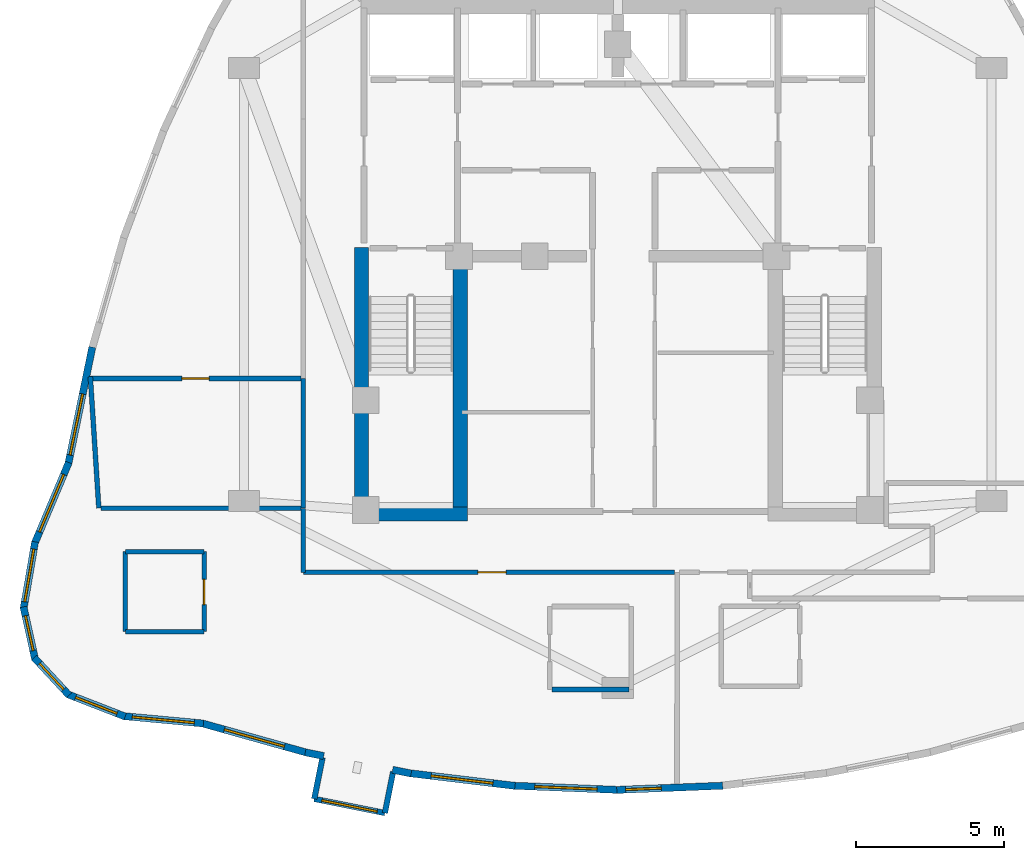
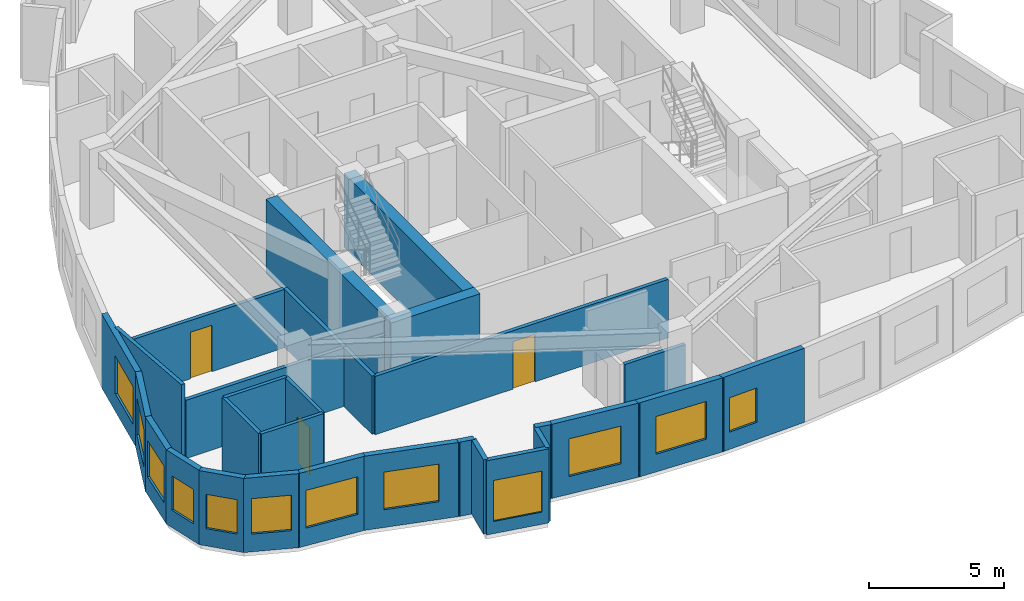
# One storey, part 7 of 12: 30 walls, 12 windows, 3 doors, 15 openings.
"""IFC4 building model written with IfcOpenShell, lengths in metres."""

import ifcopenshell
import ifcopenshell.guid

model = None  # the IFC model being written
_history = None  # IfcOwnerHistory: only IFC2X3 demands one
_inside = {}  # id of a spatial element -> (the spatial element, [elements in it])
_under = {}  # id of a project, library or spatial element -> (it, [spatial elements below it])
_declared = {}  # id of a project -> (the project, [libraries it declares])
_typed = {}  # id of a type object -> (the type object, [elements of that type])
_made_of = {}  # id of a material, layer set ... -> (it, [elements and type objects made of it])


def new_model(schema):
    """Start an empty IFC model of exactly this schema.

    Asked for "IFC4X3", IfcOpenShell would pick the latest addendum, in which some entities
    have other attributes; the version numbers below select the first issue.
    IFC2X3 requires an IfcOwnerHistory on every rooted entity: one is made here for all.
    """
    global model, _history
    if schema == "IFC4X3":
        model = ifcopenshell.file(schema_version=(4, 3, 0, 0))
    else:
        model = ifcopenshell.file(schema=schema)
    _inside.clear()
    _under.clear()
    _declared.clear()
    _typed.clear()
    _made_of.clear()
    _history = None
    if model.schema == "IFC2X3":
        org = make("IfcOrganization", Name="unknown")
        user = make(
            "IfcPersonAndOrganization",
            ThePerson=make("IfcPerson", FamilyName="unknown"),
            TheOrganization=org,
        )
        app = make(
            "IfcApplication",
            ApplicationDeveloper=org,
            Version="unknown",
            ApplicationFullName="unknown",
            ApplicationIdentifier="unknown",
        )
        _history = make(
            "IfcOwnerHistory",
            OwningUser=user,
            OwningApplication=app,
            ChangeAction="ADDED",
            CreationDate=0,
        )
    return model


def make(cls, **values):
    """One entity of the class cls with the attributes given. An attribute that is None is left unset."""
    return model.create_entity(
        cls, **{name: value for name, value in values.items() if value is not None}
    )


def rooted(cls, **values):
    """An entity with a GlobalId (a new one), such as an element, a storey or a relation."""
    return make(cls, GlobalId=ifcopenshell.guid.new(), OwnerHistory=_history, **values)


def si_unit(unit_type, name, prefix=None):
    """IfcSIUnit, for example si_unit("LENGTHUNIT", "METRE", prefix="MILLI")."""
    return make("IfcSIUnit", UnitType=unit_type, Prefix=prefix, Name=name)


def assignment(units):
    """IfcUnitAssignment: the units of a project."""
    return None if units is None else make("IfcUnitAssignment", Units=units)


def point(xyz):
    """IfcCartesianPoint."""
    return None if xyz is None else make("IfcCartesianPoint", Coordinates=xyz)


def direction(xyz):
    """IfcDirection."""
    return None if xyz is None else make("IfcDirection", DirectionRatios=xyz)


def frame(location, z_axis=None, x_axis=None):
    """IfcAxis2Placement3D, a coordinate frame: its origin and axes. An axis left out is left unset."""
    return make(
        "IfcAxis2Placement3D",
        Location=point(location),
        Axis=direction(z_axis),
        RefDirection=direction(x_axis),
    )


def frame_2d(location, x_axis=None):
    """IfcAxis2Placement2D, a coordinate frame in the plane: its origin and x axis."""
    return make(
        "IfcAxis2Placement2D", Location=point(location), RefDirection=direction(x_axis)
    )


def origin():
    """The frame at (0, 0, 0) with its axes left unset."""
    return frame((0.0, 0.0, 0.0))


def place(relative_to, where):
    """IfcLocalPlacement: puts the frame where relative to a parent placement (None: the world)."""
    return make(
        "IfcLocalPlacement", PlacementRelTo=relative_to, RelativePlacement=where
    )


def context(
    kind, dimensions, precision=None, world=None, true_north=None, identifier=None
):
    """IfcGeometricRepresentationContext, for example the 3D "Model" context."""
    return make(
        "IfcGeometricRepresentationContext",
        ContextIdentifier=identifier,
        ContextType=kind,
        CoordinateSpaceDimension=dimensions,
        Precision=precision,
        WorldCoordinateSystem=world,
        TrueNorth=true_north,
    )


def subcontext(parent, identifier, kind, view, scale=None):
    """IfcGeometricRepresentationSubContext, for example "Body" below "Model"."""
    return make(
        "IfcGeometricRepresentationSubContext",
        ContextIdentifier=identifier,
        ContextType=kind,
        ParentContext=parent,
        TargetScale=scale,
        TargetView=view,
    )


def project(units=None, contexts=None):
    """IfcProject with its units and contexts."""
    return rooted(
        "IfcProject",
        Name="project",
        RepresentationContexts=contexts,
        UnitsInContext=assignment(units),
    )


def spatial(cls, under=None, at=None, **own):
    """A site, building, storey or space (cls), placed at a placement, below another one or the project."""
    s = rooted(cls, ObjectPlacement=at, **own)
    if under is not None:
        _under.setdefault(under.id(), (under, []))[1].append(s)
    return s


def profile(cls, at=None, kind="AREA", **sizes):
    """A parametric profile (cls). Its sizes go by their IFC names, for example OverallWidth=200.0."""
    return make(cls, ProfileType=kind, Position=at, **sizes)


def rectangle(**sizes):
    """IfcRectangleProfileDef."""
    return profile("IfcRectangleProfileDef", **sizes)


def extrude(swept, where, along, depth):
    """IfcExtrudedAreaSolid: the profile swept, set in the frame where, extruded along a direction by depth."""
    return make(
        "IfcExtrudedAreaSolid",
        SweptArea=swept,
        Position=where,
        ExtrudedDirection=direction(along),
        Depth=depth,
    )


def shape(context_of_items, identifier, shape_type, items):
    """IfcShapeRepresentation: the items that make up one representation, for example the "Body"."""
    return make(
        "IfcShapeRepresentation",
        ContextOfItems=context_of_items,
        RepresentationIdentifier=identifier,
        RepresentationType=shape_type,
        Items=items,
    )


def material(Name=None, Category=None):
    """IfcMaterial."""
    return make("IfcMaterial", Name=Name, Category=Category)


def layer(
    of_material, thickness, ventilated=None, Name=None, Category=None, Priority=None
):
    """IfcMaterialLayer: one layer of a wall or slab, of a material (None: an air gap)."""
    return make(
        "IfcMaterialLayer",
        Material=of_material,
        LayerThickness=thickness,
        IsVentilated=ventilated,
        Name=Name,
        Category=Category,
        Priority=Priority,
    )


def layer_set(layers, Name=None):
    """IfcMaterialLayerSet."""
    return make("IfcMaterialLayerSet", MaterialLayers=layers, LayerSetName=Name)


def made_of(thing, what):
    """Note that an element or type object is made of a material, layer set ...; save() writes the relation."""
    if what is not None:
        _made_of.setdefault(what.id(), (what, []))[1].append(thing)
    return thing


def type_object(cls, material=None, **own):
    """A type object (cls), such as IfcWallType, which elements share."""
    return made_of(rooted(cls, **own), material)


def element(
    cls,
    number,
    at=None,
    inside=None,
    cuts=None,
    type_object=None,
    material=None,
    context=None,
    identifier="Body",
    shape_type=None,
    held_by="IfcProductDefinitionShape",
    body=None,
    shapes=None,
    **own,
):
    """One element of the class cls, such as IfcWall. Its Tag is "e" and its number.

    at: its placement. inside: the storey or other place that contains it. cuts: it is an
    opening in that element (IfcRelVoidsElement). A single representation is given by context,
    identifier, shape_type and body (its items); several are given by shapes. held_by: the class
    of the entity that holds the representations. save() writes the other relations.
    """
    e = rooted(cls, Tag="e%d" % number, ObjectPlacement=at, **own)
    if body is not None:
        shapes = [shape(context, identifier, shape_type, body)]
    if shapes is not None:
        e.Representation = make(held_by, Representations=shapes)
    if inside is not None:
        _inside.setdefault(inside.id(), (inside, []))[1].append(e)
    if cuts is not None:
        rooted(
            "IfcRelVoidsElement", RelatingBuildingElement=cuts, RelatedOpeningElement=e
        )
    if type_object is not None:
        _typed.setdefault(type_object.id(), (type_object, []))[1].append(e)
    return made_of(e, material)


def fill(opening, filler):
    """IfcRelFillsElement: the door or window that sits in an opening."""
    return rooted(
        "IfcRelFillsElement",
        RelatingOpeningElement=opening,
        RelatedBuildingElement=filler,
    )


def aggregate(whole, parts):
    """IfcRelAggregates: a whole, such as a stair, and the parts it consists of."""
    return rooted("IfcRelAggregates", RelatingObject=whole, RelatedObjects=parts)


def save(model, path):
    """Write the relations noted so far, then the file.

    IfcRelAggregates (storeys below a building ...), IfcRelContainedInSpatialStructure (elements
    in a storey), IfcRelDefinesByType, IfcRelAssociatesMaterial and IfcRelDeclares: one each for
    every whole, place, type object, material and project.
    """
    for whole, parts in _under.values():
        aggregate(whole, parts)
    for where, things in _inside.values():
        rooted(
            "IfcRelContainedInSpatialStructure",
            RelatedElements=things,
            RelatingStructure=where,
        )
    for kind, things in _typed.values():
        rooted("IfcRelDefinesByType", RelatedObjects=things, RelatingType=kind)
    for what, things in _made_of.values():
        rooted("IfcRelAssociatesMaterial", RelatedObjects=things, RelatingMaterial=what)
    for by, libraries in _declared.values():
        rooted("IfcRelDeclares", RelatingContext=by, RelatedDefinitions=libraries)
    model.write(path)


model = new_model("IFC4")

# Units and contexts
model_context = context("Model", 3, precision=1e-05, world=origin(), true_north=direction((0.0, 1.0)))
body_context = subcontext(model_context, "Body", "Model", "MODEL_VIEW")
ifc_project = project(units=[si_unit("LENGTHUNIT", "METRE"), si_unit("AREAUNIT", "SQUARE_METRE"), si_unit("VOLUMEUNIT", "CUBIC_METRE"), si_unit("PLANEANGLEUNIT", "RADIAN"), si_unit("MASSUNIT", "GRAM", prefix="KILO")], contexts=[model_context])

# Site, building, storey
site_placement = place(None, origin())
site = spatial("IfcSite", under=ifc_project, at=site_placement, CompositionType="ELEMENT")
building_placement = place(site_placement, origin())
building = spatial("IfcBuilding", under=site, at=building_placement, Name="Miruveldt Soraemaru", CompositionType="ELEMENT")
storey_placement = place(building_placement, frame((0.0, 0.0, 216.0)))
storey = spatial("IfcBuildingStorey", under=building, at=storey_placement, Name="L59", CompositionType="ELEMENT", Elevation=216.0)

# Walls
ifc_material_1 = material(Name="White powder-coated aluminium EN AW-6060 T6", Category="aluminium")
ifc_layer_1 = layer(ifc_material_1, 0.18994140625, Name="White powder-coated aluminium EN AW-6060 T6", Category="aluminium")
ifc_layer_set_1 = layer_set([ifc_layer_1], Name="White powder-coated aluminium EN AW-6060 T6")
wall_type_1 = type_object("IfcWallType", Name="WALL-BAY-ALU190", PredefinedType="SOLIDWALL", material=ifc_layer_set_1)
wall_1_placement = place(storey_placement, frame((34.04833984375, 27.157958984375, 0.0), z_axis=(0.0, 0.0, 1.0), x_axis=(-0.196149079112, -0.980574086321, 0.0)))
element("IfcWall", 1, at=wall_1_placement, inside=storey, type_object=wall_type_1, Name="L59 Bay Window Side Cheek 1L", PredefinedType="SOLIDWALL", context=body_context, shape_type="SweptSolid", body=[
    extrude(rectangle(XDim=1.425048828125, YDim=0.18994140625, at=frame_2d((0.71240234375, 0.0))), origin(), (0.0, 0.0, 1.0), 3.344970703125),
])
wall_2_placement = place(storey_placement, frame((36.148681640625, 25.28466796875, 0.0), z_axis=(0.0, 0.0, 1.0), x_axis=(0.196182033934, 0.980567493629, 0.0)))
element("IfcWall", 2, at=wall_2_placement, inside=storey, type_object=wall_type_1, Name="L59 Bay Window Side Cheek 1R", PredefinedType="SOLIDWALL", context=body_context, shape_type="SweptSolid", body=[
    extrude(rectangle(XDim=1.4248046875, YDim=0.18994140625, at=frame_2d((0.71240234375, 0.0))), origin(), (0.0, 0.0, 1.0), 3.344970703125),
])

# Wall, opening, window
wall_3_placement = place(storey_placement, frame((33.768798828125, 25.760498046875, 0.0), z_axis=(0.0, 0.0, 1.0), x_axis=(0.980592280997, -0.196058099678, 0.0)))
wall_3 = element("IfcWall", 3, at=wall_3_placement, inside=storey, type_object=wall_type_1, Name="L59 Bay Window Front Frame 1", PredefinedType="SOLIDWALL", context=body_context, shape_type="SweptSolid", body=[
    extrude(rectangle(XDim=2.427001953125, YDim=0.18994140625, at=frame_2d((1.21337890625, 0.0))), origin(), (0.0, 0.0, 1.0), 3.344970703125),
])
opening_1_placement = place(wall_3_placement, frame((0.262939453125, 0.0, 0.550048828125)))
opening_1 = element("IfcOpeningElement", 4, at=opening_1_placement, cuts=wall_3, Name="Opening WN-6", PredefinedType="OPENING", context=body_context, shape_type="SweptSolid", body=[
    extrude(rectangle(XDim=1.89990234375, YDim=1.85009765625, at=frame_2d((0.949951171875, 0.925048828125))), frame((0.0, 0.10498046875, 0.0), z_axis=(0.0, -1.0, 0.0), x_axis=(1.0, 0.0, 0.0)), (0.0, 0.0, 1.0), 0.2099609375),
])
ifc_material_2 = material(Name="Triple low-e insulated glazing", Category="glass")
window_type_1 = type_object("IfcWindowType", Name="WIN-BAYW-1900x1850", PartitioningType="SINGLE_PANEL", PredefinedType="WINDOW", material=ifc_material_2)
window_1_placement = place(opening_1_placement, origin())
window_1 = element("IfcWindow", 5, at=window_1_placement, inside=storey, type_object=window_type_1, Name="L59 Projecting Bay Window 1", OverallHeight=1.85009765625, OverallWidth=1.89990234375, PartitioningType="SINGLE_PANEL", PredefinedType="WINDOW", context=body_context, shape_type="SweptSolid", body=[
    extrude(rectangle(XDim=1.89990234375, YDim=1.85009765625, at=frame_2d((0.949951171875, 0.925048828125))), frame((0.0, 0.030029296875, 0.0), z_axis=(0.0, -1.0, 0.0), x_axis=(1.0, 0.0, 0.0)), (0.0, 0.0, 1.0), 0.06005859375),
])
fill(opening_1, window_1)

# Walls
ifc_material_3 = material(Name="Concrete C60/75 (60 MPa)", Category="concrete")
ifc_layer_2 = layer(ifc_material_3, 0.47998046875, Name="Concrete C60/75 (60 MPa)", Category="concrete")
ifc_layer_set_2 = layer_set([ifc_layer_2], Name="Concrete C60/75 (60 MPa)")
wall_type_2 = type_object("IfcWallType", Name="WALL-CW-480", PredefinedType="SHEAR", material=ifc_layer_set_2)
wall_4_placement = place(storey_placement, frame((35.1201171875, 35.360107421875, 0.0), z_axis=(0.0, 0.0, 1.0), x_axis=(1.0, 0.0, 0.0)))
element("IfcWall", 6, at=wall_4_placement, inside=storey, type_object=wall_type_2, Name="L59 Central Core Shear Wall S1", PredefinedType="SHEAR", context=body_context, shape_type="SweptSolid", body=[
    extrude(rectangle(XDim=3.809814453125, YDim=0.47998046875, at=frame_2d((1.90478515625, 0.0))), origin(), (0.0, 0.0, 1.0), 3.344970703125),
])
wall_5_placement = place(storey_placement, frame((35.360107421875, 35.1201171875, 0.0), z_axis=(0.0, 0.0, 1.0), x_axis=(0.0, 1.0, 0.0)))
element("IfcWall", 7, at=wall_5_placement, inside=storey, type_object=wall_type_2, Name="L59 Central Core Shear Wall W1", PredefinedType="SHEAR", context=body_context, shape_type="SweptSolid", body=[
    extrude(rectangle(XDim=9.22998046875, YDim=0.47998046875, at=frame_2d((4.614990234375, 0.0))), origin(), (0.0, 0.0, 1.0), 3.344970703125),
])
wall_6_placement = place(storey_placement, frame((38.68994140625, 35.39990234375, 0.0), z_axis=(0.0, 0.0, 1.0), x_axis=(0.0, 1.0, 0.0)))
element("IfcWall", 8, at=wall_6_placement, inside=storey, type_object=wall_type_2, Name="L59 Central Core Shear Wall SW-INT", PredefinedType="SHEAR", context=body_context, shape_type="SweptSolid", body=[
    extrude(rectangle(XDim=8.9501953125, YDim=0.47998046875, at=frame_2d((4.47509765625, 0.0))), origin(), (0.0, 0.0, 1.0), 3.344970703125),
])

# Wall, opening, window
ifc_material_4 = material(Name="Precast concrete C45/55 (45 MPa)", Category="concrete")
ifc_layer_3 = layer(ifc_material_4, 0.239990234375, Name="Precast concrete C45/55 (45 MPa)", Category="concrete")
ifc_layer_set_3 = layer_set([ifc_layer_3], Name="Precast concrete C45/55 (45 MPa)")
wall_type_3 = type_object("IfcWallType", Name="WALL-EXT-PC240", PredefinedType="SOLIDWALL", material=ifc_layer_set_3)
wall_7_placement = place(storey_placement, frame((26.287841796875, 40.98681640625, 0.0), z_axis=(0.0, 0.0, 1.0), x_axis=(-0.201579541159, -0.979472147938, 0.0)))
wall_7 = element("IfcWall", 9, at=wall_7_placement, inside=storey, type_object=wall_type_3, Name="L59 Precast Concrete Facade Wall 14", PredefinedType="SOLIDWALL", context=body_context, shape_type="SweptSolid", body=[
    extrude(rectangle(XDim=4.03662109375, YDim=0.239990234375, at=frame_2d((2.018310546875, 0.0))), origin(), (0.0, 0.0, 1.0), 3.344970703125),
])
opening_2_placement = place(wall_7_placement, frame((1.613037109375, 0.0, 0.800048828125)))
opening_2 = element("IfcOpeningElement", 10, at=opening_2_placement, cuts=wall_7, Name="Opening WN-1", PredefinedType="OPENING", context=body_context, shape_type="SweptSolid", body=[
    extrude(rectangle(XDim=2.10009765625, YDim=1.699951171875, at=frame_2d((1.050048828125, 0.85009765625))), frame((0.0, 0.1298828125, 0.0), z_axis=(0.0, -1.0, 0.0), x_axis=(1.0, 0.0, 0.0)), (0.0, 0.0, 1.0), 0.260009765625),
])
window_type_2 = type_object("IfcWindowType", Name="WIN-PUNCH-2100x1700", PartitioningType="SINGLE_PANEL", PredefinedType="WINDOW", material=ifc_material_2)
window_2_placement = place(opening_2_placement, origin())
window_2 = element("IfcWindow", 11, at=window_2_placement, inside=storey, type_object=window_type_2, Name="L59 Punched Triple-Glazed Window 14.1", OverallHeight=1.699951171875, OverallWidth=2.10009765625, PartitioningType="SINGLE_PANEL", PredefinedType="WINDOW", context=body_context, shape_type="SweptSolid", body=[
    extrude(rectangle(XDim=2.10009765625, YDim=1.699951171875, at=frame_2d((1.050048828125, 0.85009765625))), frame((0.0, 0.030029296875, 0.0), z_axis=(0.0, -1.0, 0.0), x_axis=(1.0, 0.0, 0.0)), (0.0, 0.0, 1.0), 0.06005859375),
])
fill(opening_2, window_2)

wall_8_placement = place(storey_placement, frame((25.49462890625, 37.099609375, 0.0), z_axis=(0.0, 0.0, 1.0), x_axis=(-0.388596043181, -0.921408223983, 0.0)))
wall_8 = element("IfcWall", 12, at=wall_8_placement, inside=storey, type_object=wall_type_3, Name="L59 Precast Concrete Facade Wall 15", PredefinedType="SOLIDWALL", context=body_context, shape_type="SweptSolid", body=[
    extrude(rectangle(XDim=2.97607421875, YDim=0.239990234375, at=frame_2d((1.488037109375, 0.0))), origin(), (0.0, 0.0, 1.0), 3.344970703125),
])
opening_3_placement = place(wall_8_placement, frame((0.43798828125, 0.0, 0.800048828125)))
opening_3 = element("IfcOpeningElement", 13, at=opening_3_placement, cuts=wall_8, Name="Opening WN-1", PredefinedType="OPENING", context=body_context, shape_type="SweptSolid", body=[
    extrude(rectangle(XDim=2.10009765625, YDim=1.699951171875, at=frame_2d((1.050048828125, 0.85009765625))), frame((0.0, 0.1298828125, 0.0), z_axis=(0.0, -1.0, 0.0), x_axis=(1.0, 0.0, 0.0)), (0.0, 0.0, 1.0), 0.260009765625),
])
window_3_placement = place(opening_3_placement, origin())
window_3 = element("IfcWindow", 14, at=window_3_placement, inside=storey, type_object=window_type_2, Name="L59 Punched Triple-Glazed Window 15.1", OverallHeight=1.699951171875, OverallWidth=2.10009765625, PartitioningType="SINGLE_PANEL", PredefinedType="WINDOW", context=body_context, shape_type="SweptSolid", body=[
    extrude(rectangle(XDim=2.10009765625, YDim=1.699951171875, at=frame_2d((1.050048828125, 0.85009765625))), frame((0.0, 0.030029296875, 0.0), z_axis=(0.0, -1.0, 0.0), x_axis=(1.0, 0.0, 0.0)), (0.0, 0.0, 1.0), 0.06005859375),
])
fill(opening_3, window_3)

wall_9_placement = place(storey_placement, frame((24.357666015625, 34.424072265625, 0.0), z_axis=(0.0, 0.0, 1.0), x_axis=(-0.169300719574, -0.985564440487, 0.0)))
wall_9 = element("IfcWall", 15, at=wall_9_placement, inside=storey, type_object=wall_type_3, Name="L59 Precast Concrete Facade Wall 16", PredefinedType="SOLIDWALL", context=body_context, shape_type="SweptSolid", body=[
    extrude(rectangle(XDim=2.29296875, YDim=0.239990234375, at=frame_2d((1.146484375, 0.0))), origin(), (0.0, 0.0, 1.0), 3.344970703125),
])
opening_4_placement = place(wall_9_placement, frame((0.2470703125, 0.0, 0.800048828125)))
opening_4 = element("IfcOpeningElement", 16, at=opening_4_placement, cuts=wall_9, Name="Opening WN-2", PredefinedType="OPENING", context=body_context, shape_type="SweptSolid", body=[
    extrude(rectangle(XDim=1.800048828125, YDim=1.64990234375, at=frame_2d((0.89990234375, 0.824951171875))), frame((0.0, 0.1298828125, 0.0), z_axis=(0.0, -1.0, 0.0), x_axis=(1.0, 0.0, 0.0)), (0.0, 0.0, 1.0), 0.260009765625),
])
window_type_3 = type_object("IfcWindowType", Name="WIN-PUNCH-1800x1650", PartitioningType="SINGLE_PANEL", PredefinedType="WINDOW", material=ifc_material_2)
window_4_placement = place(opening_4_placement, origin())
window_4 = element("IfcWindow", 17, at=window_4_placement, inside=storey, type_object=window_type_3, Name="L59 Punched Triple-Glazed Window 16.1", OverallHeight=1.64990234375, OverallWidth=1.800048828125, PartitioningType="SINGLE_PANEL", PredefinedType="WINDOW", context=body_context, shape_type="SweptSolid", body=[
    extrude(rectangle(XDim=1.800048828125, YDim=1.64990234375, at=frame_2d((0.89990234375, 0.824951171875))), frame((0.0, 0.030029296875, 0.0), z_axis=(0.0, -1.0, 0.0), x_axis=(1.0, 0.0, 0.0)), (0.0, 0.0, 1.0), 0.06005859375),
])
fill(opening_4, window_4)

wall_10_placement = place(storey_placement, frame((23.9677734375, 32.23291015625, 0.0), z_axis=(0.0, 0.0, 1.0), x_axis=(0.215762394051, -0.976445896767, 0.0)))
wall_10 = element("IfcWall", 18, at=wall_10_placement, inside=storey, type_object=wall_type_3, Name="L59 Precast Concrete Facade Wall 17", PredefinedType="SOLIDWALL", context=body_context, shape_type="SweptSolid", body=[
    extrude(rectangle(XDim=1.81494140625, YDim=0.239990234375, at=frame_2d((0.907470703125, 0.0))), origin(), (0.0, 0.0, 1.0), 3.344970703125),
])
opening_5_placement = place(wall_10_placement, frame((0.306884765625, 0.0, 0.780029296875)))
opening_5 = element("IfcOpeningElement", 19, at=opening_5_placement, cuts=wall_10, Name="Opening WN-4", PredefinedType="OPENING", context=body_context, shape_type="SweptSolid", body=[
    extrude(rectangle(XDim=1.199951171875, YDim=1.550048828125, at=frame_2d((0.60009765625, 0.77490234375))), frame((0.0, 0.1298828125, 0.0), z_axis=(0.0, -1.0, 0.0), x_axis=(1.0, 0.0, 0.0)), (0.0, 0.0, 1.0), 0.260009765625),
])
window_type_4 = type_object("IfcWindowType", Name="WIN-PUNCH-1200x1550", PartitioningType="SINGLE_PANEL", PredefinedType="WINDOW", material=ifc_material_2)
window_5_placement = place(opening_5_placement, origin())
window_5 = element("IfcWindow", 20, at=window_5_placement, inside=storey, type_object=window_type_4, Name="L59 Punched Triple-Glazed Window 17.1", OverallHeight=1.550048828125, OverallWidth=1.199951171875, PartitioningType="SINGLE_PANEL", PredefinedType="WINDOW", context=body_context, shape_type="SweptSolid", body=[
    extrude(rectangle(XDim=1.199951171875, YDim=1.550048828125, at=frame_2d((0.60009765625, 0.77490234375))), frame((0.0, 0.030029296875, 0.0), z_axis=(0.0, -1.0, 0.0), x_axis=(1.0, 0.0, 0.0)), (0.0, 0.0, 1.0), 0.06005859375),
])
fill(opening_5, window_5)

wall_11_placement = place(storey_placement, frame((24.327880859375, 30.5205078125, 0.0), z_axis=(0.0, 0.0, 1.0), x_axis=(0.680158830512, -0.733064775635, 0.0)))
wall_11 = element("IfcWall", 21, at=wall_11_placement, inside=storey, type_object=wall_type_3, Name="L59 Precast Concrete Facade Wall 18", PredefinedType="SOLIDWALL", context=body_context, shape_type="SweptSolid", body=[
    extrude(rectangle(XDim=1.73046875, YDim=0.239990234375, at=frame_2d((0.865234375, 0.0))), origin(), (0.0, 0.0, 1.0), 3.344970703125),
])
opening_6_placement = place(wall_11_placement, frame((0.264892578125, 0.0, 0.780029296875)))
opening_6 = element("IfcOpeningElement", 22, at=opening_6_placement, cuts=wall_11, Name="Opening WN-4", PredefinedType="OPENING", context=body_context, shape_type="SweptSolid", body=[
    extrude(rectangle(XDim=1.199951171875, YDim=1.550048828125, at=frame_2d((0.60009765625, 0.77490234375))), frame((0.0, 0.1298828125, 0.0), z_axis=(0.0, -1.0, 0.0), x_axis=(1.0, 0.0, 0.0)), (0.0, 0.0, 1.0), 0.260009765625),
])
window_6_placement = place(opening_6_placement, origin())
window_6 = element("IfcWindow", 23, at=window_6_placement, inside=storey, type_object=window_type_4, Name="L59 Punched Triple-Glazed Window 18.1", OverallHeight=1.550048828125, OverallWidth=1.199951171875, PartitioningType="SINGLE_PANEL", PredefinedType="WINDOW", context=body_context, shape_type="SweptSolid", body=[
    extrude(rectangle(XDim=1.199951171875, YDim=1.550048828125, at=frame_2d((0.60009765625, 0.77490234375))), frame((0.0, 0.030029296875, 0.0), z_axis=(0.0, -1.0, 0.0), x_axis=(1.0, 0.0, 0.0)), (0.0, 0.0, 1.0), 0.06005859375),
])
fill(opening_6, window_6)

wall_12_placement = place(storey_placement, frame((25.448486328125, 29.290283203125, 0.0), z_axis=(0.0, 0.0, 1.0), x_axis=(0.932287324151, -0.361718599504, 0.0)))
wall_12 = element("IfcWall", 24, at=wall_12_placement, inside=storey, type_object=wall_type_3, Name="L59 Precast Concrete Facade Wall 19", PredefinedType="SOLIDWALL", context=body_context, shape_type="SweptSolid", body=[
    extrude(rectangle(XDim=2.0888671875, YDim=0.239990234375, at=frame_2d((1.04443359375, 0.0))), origin(), (0.0, 0.0, 1.0), 3.344970703125),
])
opening_7_placement = place(wall_12_placement, frame((0.2939453125, 0.0, 0.800048828125)))
opening_7 = element("IfcOpeningElement", 25, at=opening_7_placement, cuts=wall_12, Name="Opening WN-3", PredefinedType="OPENING", context=body_context, shape_type="SweptSolid", body=[
    extrude(rectangle(XDim=1.5, YDim=1.60009765625, at=frame_2d((0.75, 0.800048828125))), frame((0.0, 0.1298828125, 0.0), z_axis=(0.0, -1.0, 0.0), x_axis=(1.0, 0.0, 0.0)), (0.0, 0.0, 1.0), 0.260009765625),
])
window_type_5 = type_object("IfcWindowType", Name="WIN-PUNCH-1500x1600", PartitioningType="SINGLE_PANEL", PredefinedType="WINDOW", material=ifc_material_2)
window_7_placement = place(opening_7_placement, origin())
window_7 = element("IfcWindow", 26, at=window_7_placement, inside=storey, type_object=window_type_5, Name="L59 Punched Triple-Glazed Window 19.1", OverallHeight=1.60009765625, OverallWidth=1.5, PartitioningType="SINGLE_PANEL", PredefinedType="WINDOW", context=body_context, shape_type="SweptSolid", body=[
    extrude(rectangle(XDim=1.5, YDim=1.60009765625, at=frame_2d((0.75, 0.800048828125))), frame((0.0, 0.030029296875, 0.0), z_axis=(0.0, -1.0, 0.0), x_axis=(1.0, 0.0, 0.0)), (0.0, 0.0, 1.0), 0.06005859375),
])
fill(opening_7, window_7)

wall_13_placement = place(storey_placement, frame((27.32861328125, 28.550537109375, 0.0), z_axis=(0.0, 0.0, 1.0), x_axis=(0.995764020847, -0.09194571652, 0.0)))
wall_13 = element("IfcWall", 27, at=wall_13_placement, inside=storey, type_object=wall_type_3, Name="L59 Precast Concrete Facade Wall 20", PredefinedType="SOLIDWALL", context=body_context, shape_type="SweptSolid", body=[
    extrude(rectangle(XDim=2.71630859375, YDim=0.239990234375, at=frame_2d((1.358154296875, 0.0))), origin(), (0.0, 0.0, 1.0), 3.344970703125),
])
opening_8_placement = place(wall_13_placement, frame((0.30810546875, 0.0, 0.800048828125)))
opening_8 = element("IfcOpeningElement", 28, at=opening_8_placement, cuts=wall_13, Name="Opening WN-1", PredefinedType="OPENING", context=body_context, shape_type="SweptSolid", body=[
    extrude(rectangle(XDim=2.10009765625, YDim=1.699951171875, at=frame_2d((1.050048828125, 0.85009765625))), frame((0.0, 0.1298828125, 0.0), z_axis=(0.0, -1.0, 0.0), x_axis=(1.0, 0.0, 0.0)), (0.0, 0.0, 1.0), 0.260009765625),
])
window_8_placement = place(opening_8_placement, origin())
window_8 = element("IfcWindow", 29, at=window_8_placement, inside=storey, type_object=window_type_2, Name="L59 Punched Triple-Glazed Window 20.1", OverallHeight=1.699951171875, OverallWidth=2.10009765625, PartitioningType="SINGLE_PANEL", PredefinedType="WINDOW", context=body_context, shape_type="SweptSolid", body=[
    extrude(rectangle(XDim=2.10009765625, YDim=1.699951171875, at=frame_2d((1.050048828125, 0.85009765625))), frame((0.0, 0.030029296875, 0.0), z_axis=(0.0, -1.0, 0.0), x_axis=(1.0, 0.0, 0.0)), (0.0, 0.0, 1.0), 0.06005859375),
])
fill(opening_8, window_8)

wall_14_placement = place(storey_placement, frame((29.96484375, 28.3134765625, 0.0), z_axis=(0.0, 0.0, 1.0), x_axis=(0.962962651001, -0.269634813733, 0.0)))
wall_14 = element("IfcWall", 30, at=wall_14_placement, inside=storey, type_object=wall_type_3, Name="L59 Precast Concrete Facade Wall 21", PredefinedType="SOLIDWALL", context=body_context, shape_type="SweptSolid", body=[
    extrude(rectangle(XDim=3.705078125, YDim=0.239990234375, at=frame_2d((1.8525390625, 0.0))), origin(), (0.0, 0.0, 1.0), 3.344970703125),
])
opening_9_placement = place(wall_14_placement, frame((0.802001953125, 0.0, 0.800048828125)))
opening_9 = element("IfcOpeningElement", 31, at=opening_9_placement, cuts=wall_14, Name="Opening WN-1", PredefinedType="OPENING", context=body_context, shape_type="SweptSolid", body=[
    extrude(rectangle(XDim=2.10009765625, YDim=1.699951171875, at=frame_2d((1.050048828125, 0.85009765625))), frame((0.0, 0.1298828125, 0.0), z_axis=(0.0, -1.0, 0.0), x_axis=(1.0, 0.0, 0.0)), (0.0, 0.0, 1.0), 0.260009765625),
])
window_9_placement = place(opening_9_placement, origin())
window_9 = element("IfcWindow", 32, at=window_9_placement, inside=storey, type_object=window_type_2, Name="L59 Punched Triple-Glazed Window 21.1", OverallHeight=1.699951171875, OverallWidth=2.10009765625, PartitioningType="SINGLE_PANEL", PredefinedType="WINDOW", context=body_context, shape_type="SweptSolid", body=[
    extrude(rectangle(XDim=2.10009765625, YDim=1.699951171875, at=frame_2d((1.050048828125, 0.85009765625))), frame((0.0, 0.030029296875, 0.0), z_axis=(0.0, -1.0, 0.0), x_axis=(1.0, 0.0, 0.0)), (0.0, 0.0, 1.0), 0.06005859375),
])
fill(opening_9, window_9)

# Walls
for number, where, z_axis, x_axis, name in (
    (33, (33.464599609375, 27.330810546875, 0.0), (0.0, 0.0, 1.0), (0.980521613497, -0.196411215223, 0.0), "L59 Precast Pier Wall 22A"),
    (34, (36.40966796875, 26.74169921875, 0.0), (0.0, 0.0, 1.0), (0.980595428474, -0.196042356788, 0.0), "L59 Precast Pier Wall 22B"),
):
    element("IfcWall", number, at=place(storey_placement, frame(where, z_axis=z_axis, x_axis=x_axis)), inside=storey, type_object=wall_type_3, Name=name, PredefinedType="SOLIDWALL", context=body_context, shape_type="SweptSolid", body=[
        extrude(rectangle(XDim=0.636474609375, YDim=0.239990234375, at=frame_2d((0.318359375, 0.0))), origin(), (0.0, 0.0, 1.0), 3.344970703125),
    ])

# Wall, opening, window
wall_15_placement = place(storey_placement, frame((36.964599609375, 26.6279296875, 0.0), z_axis=(0.0, 0.0, 1.0), x_axis=(0.992881978506, -0.119102379312, 0.0)))
wall_15 = element("IfcWall", 35, at=wall_15_placement, inside=storey, type_object=wall_type_3, Name="L59 Precast Concrete Facade Wall 23", PredefinedType="SOLIDWALL", context=body_context, shape_type="SweptSolid", body=[
    extrude(rectangle(XDim=3.595458984375, YDim=0.239990234375, at=frame_2d((1.7978515625, 0.0))), origin(), (0.0, 0.0, 1.0), 3.344970703125),
])
opening_10_placement = place(wall_15_placement, frame((0.748046875, 0.0, 0.800048828125)))
opening_10 = element("IfcOpeningElement", 36, at=opening_10_placement, cuts=wall_15, Name="Opening WN-1", PredefinedType="OPENING", context=body_context, shape_type="SweptSolid", body=[
    extrude(rectangle(XDim=2.10009765625, YDim=1.699951171875, at=frame_2d((1.050048828125, 0.85009765625))), frame((0.0, 0.1298828125, 0.0), z_axis=(0.0, -1.0, 0.0), x_axis=(1.0, 0.0, 0.0)), (0.0, 0.0, 1.0), 0.260009765625),
])
window_10_placement = place(opening_10_placement, origin())
window_10 = element("IfcWindow", 37, at=window_10_placement, inside=storey, type_object=window_type_2, Name="L59 Punched Triple-Glazed Window 23.1", OverallHeight=1.699951171875, OverallWidth=2.10009765625, PartitioningType="SINGLE_PANEL", PredefinedType="WINDOW", context=body_context, shape_type="SweptSolid", body=[
    extrude(rectangle(XDim=2.10009765625, YDim=1.699951171875, at=frame_2d((1.050048828125, 0.85009765625))), frame((0.0, 0.030029296875, 0.0), z_axis=(0.0, -1.0, 0.0), x_axis=(1.0, 0.0, 0.0)), (0.0, 0.0, 1.0), 0.06005859375),
])
fill(opening_10, window_10)

wall_16_placement = place(storey_placement, frame((40.464599609375, 26.205078125, 0.0), z_axis=(0.0, 0.0, 1.0), x_axis=(0.999203576114, -0.039902549812, 0.0)))
wall_16 = element("IfcWall", 38, at=wall_16_placement, inside=storey, type_object=wall_type_3, Name="L59 Precast Concrete Facade Wall 24", PredefinedType="SOLIDWALL", context=body_context, shape_type="SweptSolid", body=[
    extrude(rectangle(XDim=3.5732421875, YDim=0.239990234375, at=frame_2d((1.78662109375, 0.0))), origin(), (0.0, 0.0, 1.0), 3.344970703125),
])
opening_11_placement = place(wall_16_placement, frame((0.736083984375, 0.0, 0.800048828125)))
opening_11 = element("IfcOpeningElement", 39, at=opening_11_placement, cuts=wall_16, Name="Opening WN-1", PredefinedType="OPENING", context=body_context, shape_type="SweptSolid", body=[
    extrude(rectangle(XDim=2.10009765625, YDim=1.699951171875, at=frame_2d((1.050048828125, 0.85009765625))), frame((0.0, 0.1298828125, 0.0), z_axis=(0.0, -1.0, 0.0), x_axis=(1.0, 0.0, 0.0)), (0.0, 0.0, 1.0), 0.260009765625),
])
window_11_placement = place(opening_11_placement, origin())
window_11 = element("IfcWindow", 40, at=window_11_placement, inside=storey, type_object=window_type_2, Name="L59 Punched Triple-Glazed Window 24.1", OverallHeight=1.699951171875, OverallWidth=2.10009765625, PartitioningType="SINGLE_PANEL", PredefinedType="WINDOW", context=body_context, shape_type="SweptSolid", body=[
    extrude(rectangle(XDim=2.10009765625, YDim=1.699951171875, at=frame_2d((1.050048828125, 0.85009765625))), frame((0.0, 0.030029296875, 0.0), z_axis=(0.0, -1.0, 0.0), x_axis=(1.0, 0.0, 0.0)), (0.0, 0.0, 1.0), 0.06005859375),
])
fill(opening_11, window_11)

wall_17_placement = place(storey_placement, frame((43.965087890625, 26.0625, 0.0), z_axis=(0.0, 0.0, 1.0), x_axis=(0.999203576114, 0.039902549812, 0.0)))
wall_17 = element("IfcWall", 41, at=wall_17_placement, inside=storey, type_object=wall_type_3, Name="L59 Precast Concrete Facade Wall 25", PredefinedType="SOLIDWALL", context=body_context, shape_type="SweptSolid", body=[
    extrude(rectangle(XDim=3.5732421875, YDim=0.239990234375, at=frame_2d((1.78662109375, 0.0))), origin(), (0.0, 0.0, 1.0), 3.344970703125),
])
opening_12_placement = place(wall_17_placement, frame((0.300048828125, 0.0, 0.780029296875)))
opening_12 = element("IfcOpeningElement", 42, at=opening_12_placement, cuts=wall_17, Name="Opening WN-4", PredefinedType="OPENING", context=body_context, shape_type="SweptSolid", body=[
    extrude(rectangle(XDim=1.199951171875, YDim=1.550048828125, at=frame_2d((0.60009765625, 0.77490234375))), frame((0.0, 0.1298828125, 0.0), z_axis=(0.0, -1.0, 0.0), x_axis=(1.0, 0.0, 0.0)), (0.0, 0.0, 1.0), 0.260009765625),
])
window_12_placement = place(opening_12_placement, origin())
window_12 = element("IfcWindow", 43, at=window_12_placement, inside=storey, type_object=window_type_4, Name="L59 Punched Triple-Glazed Window 25.1", OverallHeight=1.550048828125, OverallWidth=1.199951171875, PartitioningType="SINGLE_PANEL", PredefinedType="WINDOW", context=body_context, shape_type="SweptSolid", body=[
    extrude(rectangle(XDim=1.199951171875, YDim=1.550048828125, at=frame_2d((0.60009765625, 0.77490234375))), frame((0.0, 0.030029296875, 0.0), z_axis=(0.0, -1.0, 0.0), x_axis=(1.0, 0.0, 0.0)), (0.0, 0.0, 1.0), 0.06005859375),
])
fill(opening_12, window_12)

# Wall, opening, door
ifc_material_5 = material(Name="Gypsum plasterboard lining", Category="gypsum")
ifc_layer_4 = layer(ifc_material_5, 0.14990234375, Name="Gypsum plasterboard lining", Category="gypsum")
ifc_layer_set_4 = layer_set([ifc_layer_4], Name="Gypsum plasterboard lining")
wall_type_4 = type_object("IfcWallType", Name="WALL-INT-PLUMB", PredefinedType="PLUMBINGWALL", material=ifc_layer_set_4)
wall_18_placement = place(storey_placement, frame((30.054931640625, 31.39599609375, 0.0), z_axis=(0.0, 0.0, 1.0), x_axis=(0.0, 1.0, 0.0)))
wall_18 = element("IfcWall", 44, at=wall_18_placement, inside=storey, type_object=wall_type_4, Name="L59 Partition Wall 19", PredefinedType="PLUMBINGWALL", context=body_context, shape_type="SweptSolid", body=[
    extrude(rectangle(XDim=2.699951171875, YDim=0.14990234375, at=frame_2d((1.35009765625, 0.0))), origin(), (0.0, 0.0, 1.0), 3.344970703125),
])
opening_13_placement = place(wall_18_placement, frame((0.909912109375, 0.0, 0.0)))
opening_13 = element("IfcOpeningElement", 45, at=opening_13_placement, cuts=wall_18, Name="Opening FD3", PredefinedType="OPENING", context=body_context, shape_type="SweptSolid", body=[
    extrude(rectangle(XDim=0.85009765625, YDim=2.10009765625, at=frame_2d((0.425048828125, 1.050048828125))), frame((0.0, 0.0849609375, 0.0), z_axis=(0.0, -1.0, 0.0), x_axis=(1.0, 0.0, 0.0)), (0.0, 0.0, 1.0), 0.169921875),
])
ifc_material_6 = material(Name="Anodised aluminium EN AW-6063 T6", Category="aluminium")
door_type_1 = type_object("IfcDoorType", Name="DOOR-FD3-850", OperationType="NOTDEFINED", PredefinedType="DOOR", material=ifc_material_6)
door_1_placement = place(opening_13_placement, origin())
door_1 = element("IfcDoor", 46, at=door_1_placement, inside=storey, type_object=door_type_1, Name="L59 Unit 5902 BTH Door", OperationType="SINGLE_SWING_RIGHT", OverallHeight=2.10009765625, OverallWidth=0.85009765625, PredefinedType="DOOR", context=body_context, shape_type="SweptSolid", body=[
    extrude(rectangle(XDim=0.85009765625, YDim=2.10009765625, at=frame_2d((0.425048828125, 1.050048828125))), frame((0.0, 0.02490234375, 0.0), z_axis=(0.0, -1.0, 0.0), x_axis=(1.0, 0.0, 0.0)), (0.0, 0.0, 1.0), 0.050048828125),
])
fill(opening_13, door_1)

# Walls
wall_19_placement = place(storey_placement, frame((27.405029296875, 34.095947265625, 0.0), z_axis=(0.0, 0.0, 1.0), x_axis=(0.0, -1.0, 0.0)))
element("IfcWall", 47, at=wall_19_placement, inside=storey, type_object=wall_type_4, Name="L59 Partition Wall 21", PredefinedType="PLUMBINGWALL", context=body_context, shape_type="SweptSolid", body=[
    extrude(rectangle(XDim=2.699951171875, YDim=0.14990234375, at=frame_2d((1.35009765625, 0.0))), origin(), (0.0, 0.0, 1.0), 3.344970703125),
])
for number, where, z_axis, x_axis, name in (
    (48, (30.054931640625, 34.095947265625, 0.0), (0.0, 0.0, 1.0), (-1.0, 0.0, 0.0), "L59 Partition Wall 20"),
    (49, (27.405029296875, 31.39599609375, 0.0), (0.0, 0.0, 1.0), (1.0, 0.0, 0.0), "L59 Partition Wall 22"),
):
    element("IfcWall", number, at=place(storey_placement, frame(where, z_axis=z_axis, x_axis=x_axis)), inside=storey, type_object=wall_type_4, Name=name, PredefinedType="PLUMBINGWALL", context=body_context, shape_type="SweptSolid", body=[
        extrude(rectangle(XDim=2.64990234375, YDim=0.14990234375, at=frame_2d((1.324951171875, 0.0))), origin(), (0.0, 0.0, 1.0), 3.344970703125),
    ])

# Wall, opening, door
ifc_material_7 = material(Name="Concrete C40/50 (40 MPa)", Category="concrete")
ifc_layer_5 = layer(ifc_material_7, 0.159912109375, Name="Concrete C40/50 (40 MPa)", Category="concrete")
ifc_layer_set_5 = layer_set([ifc_layer_5], Name="Concrete C40/50 (40 MPa)")
wall_type_5 = type_object("IfcWallType", Name="WALL-INT-RC160", PredefinedType="SOLIDWALL", material=ifc_layer_set_5)
wall_20_placement = place(storey_placement, frame((33.39990234375, 33.39990234375, 0.0), z_axis=(0.0, 0.0, 1.0), x_axis=(1.0, 0.0, 0.0)))
wall_20 = element("IfcWall", 50, at=wall_20_placement, inside=storey, type_object=wall_type_5, Name="L59 Partition Wall 7", PredefinedType="SOLIDWALL", context=body_context, shape_type="SweptSolid", body=[
    extrude(rectangle(XDim=12.51611328125, YDim=0.159912109375, at=frame_2d((6.258056640625, 0.0))), origin(), (0.0, 0.0, 1.0), 2.633056640625),
])
opening_14_placement = place(wall_20_placement, frame((5.884033203125, 0.0, 0.0)))
opening_14 = element("IfcOpeningElement", 51, at=opening_14_placement, cuts=wall_20, Name="Opening FD2", PredefinedType="OPENING", context=body_context, shape_type="SweptSolid", body=[
    extrude(rectangle(XDim=0.949951171875, YDim=2.14990234375, at=frame_2d((0.47509765625, 1.074951171875))), frame((0.0, 0.08984375, 0.0), z_axis=(0.0, -1.0, 0.0), x_axis=(1.0, 0.0, 0.0)), (0.0, 0.0, 1.0), 0.179931640625),
])
door_type_2 = type_object("IfcDoorType", Name="DOOR-FD2-950", OperationType="NOTDEFINED", PredefinedType="DOOR", material=ifc_material_6)
door_2_placement = place(opening_14_placement, origin())
door_2 = element("IfcDoor", 52, at=door_2_placement, inside=storey, type_object=door_type_2, Name="L59 Unit 5902 Entrance Fire Door", OperationType="SINGLE_SWING_LEFT", OverallHeight=2.14990234375, OverallWidth=0.949951171875, PredefinedType="DOOR", context=body_context, shape_type="SweptSolid", body=[
    extrude(rectangle(XDim=0.949951171875, YDim=2.14990234375, at=frame_2d((0.47509765625, 1.074951171875))), frame((0.0, 0.02490234375, 0.0), z_axis=(0.0, -1.0, 0.0), x_axis=(1.0, 0.0, 0.0)), (0.0, 0.0, 1.0), 0.050048828125),
])
fill(opening_14, door_2)

wall_21_placement = place(storey_placement, frame((26.208984375, 39.93310546875, 0.0), z_axis=(0.0, 0.0, 1.0), x_axis=(1.0, 0.0, 0.0)))
wall_21 = element("IfcWall", 53, at=wall_21_placement, inside=storey, type_object=wall_type_5, Name="L59 Partition Wall 29", PredefinedType="SOLIDWALL", context=body_context, shape_type="SweptSolid", body=[
    extrude(rectangle(XDim=7.111083984375, YDim=0.159912109375, at=frame_2d((3.5556640625, 0.0))), origin(), (0.0, 0.0, 1.0), 2.633056640625),
])
opening_15_placement = place(wall_21_placement, frame((3.095947265625, 0.0, 0.0)))
opening_15 = element("IfcOpeningElement", 54, at=opening_15_placement, cuts=wall_21, Name="Opening D3A", PredefinedType="OPENING", context=body_context, shape_type="SweptSolid", body=[
    extrude(rectangle(XDim=0.919921875, YDim=2.10009765625, at=frame_2d((0.4599609375, 1.050048828125))), frame((0.0, 0.08984375, 0.0), z_axis=(0.0, -1.0, 0.0), x_axis=(1.0, 0.0, 0.0)), (0.0, 0.0, 1.0), 0.179931640625),
])
door_type_3 = type_object("IfcDoorType", Name="DOOR-INT-920", OperationType="NOTDEFINED", PredefinedType="DOOR", material=ifc_material_6)
door_3_placement = place(opening_15_placement, origin())
door_3 = element("IfcDoor", 55, at=door_3_placement, inside=storey, type_object=door_type_3, Name="L59 Unit 5902 BD1 Door", OperationType="SINGLE_SWING_RIGHT", OverallHeight=2.10009765625, OverallWidth=0.919921875, PredefinedType="DOOR", context=body_context, shape_type="SweptSolid", body=[
    extrude(rectangle(XDim=0.919921875, YDim=2.10009765625, at=frame_2d((0.4599609375, 1.050048828125))), frame((0.0, 0.02490234375, 0.0), z_axis=(0.0, -1.0, 0.0), x_axis=(1.0, 0.0, 0.0)), (0.0, 0.0, 1.0), 0.050048828125),
])
fill(opening_15, door_3)

# Walls
wall_22_placement = place(storey_placement, frame((33.320068359375, 35.56103515625, 0.0), z_axis=(0.0, 0.0, 1.0), x_axis=(-1.0, 0.0, 0.0)))
element("IfcWall", 56, at=wall_22_placement, inside=storey, type_object=wall_type_5, Name="L59 Partition Wall 27", PredefinedType="SOLIDWALL", context=body_context, shape_type="SweptSolid", body=[
    extrude(rectangle(XDim=6.733154296875, YDim=0.159912109375, at=frame_2d((3.36669921875, 0.0))), origin(), (0.0, 0.0, 1.0), 2.633056640625),
])
wall_23_placement = place(storey_placement, frame((26.507080078125, 35.56103515625, 0.0), z_axis=(0.0, 0.0, 1.0), x_axis=(-0.064442333957, 0.997921432576, 0.0)))
element("IfcWall", 57, at=wall_23_placement, inside=storey, type_object=wall_type_5, Name="L59 Partition Wall 28", PredefinedType="SOLIDWALL", context=body_context, shape_type="SweptSolid", body=[
    extrude(rectangle(XDim=4.440185546875, YDim=0.159912109375, at=frame_2d((2.22021484375, 0.0))), origin(), (0.0, 0.0, 1.0), 3.344970703125),
])
wall_24_placement = place(storey_placement, frame((33.39990234375, 39.93310546875, 0.0), z_axis=(0.0, 0.0, 1.0), x_axis=(0.0, -1.0, 0.0)))
element("IfcWall", 58, at=wall_24_placement, inside=storey, type_object=wall_type_5, Name="L59 Partition Wall 8", PredefinedType="SOLIDWALL", context=body_context, shape_type="SweptSolid", body=[
    extrude(rectangle(XDim=4.3720703125, YDim=0.159912109375, at=frame_2d((2.18603515625, 0.0))), origin(), (0.0, 0.0, 1.0), 2.633056640625),
])
wall_25_placement = place(storey_placement, frame((41.784912109375, 29.446044921875, 0.0), z_axis=(0.0, 0.0, 1.0), x_axis=(1.0, 0.0, 0.0)))
element("IfcWall", 59, at=wall_25_placement, inside=storey, type_object=wall_type_5, Name="L59 Partition Wall 26", PredefinedType="SOLIDWALL", context=body_context, shape_type="SweptSolid", body=[
    extrude(rectangle(XDim=2.590087890625, YDim=0.159912109375, at=frame_2d((1.294921875, 0.0))), origin(), (0.0, 0.0, 1.0), 2.633056640625),
])
wall_26_placement = place(storey_placement, frame((33.39990234375, 35.556884765625, 0.0), z_axis=(0.0, 0.0, 1.0), x_axis=(0.0, -1.0, 0.0)))
element("IfcWall", 60, at=wall_26_placement, inside=storey, type_object=wall_type_5, Name="L59 Partition Wall 6", PredefinedType="SOLIDWALL", context=body_context, shape_type="SweptSolid", body=[
    extrude(rectangle(XDim=2.156982421875, YDim=0.159912109375, at=frame_2d((1.07861328125, 0.0))), origin(), (0.0, 0.0, 1.0), 2.633056640625),
])

save(model, "model.ifc")
